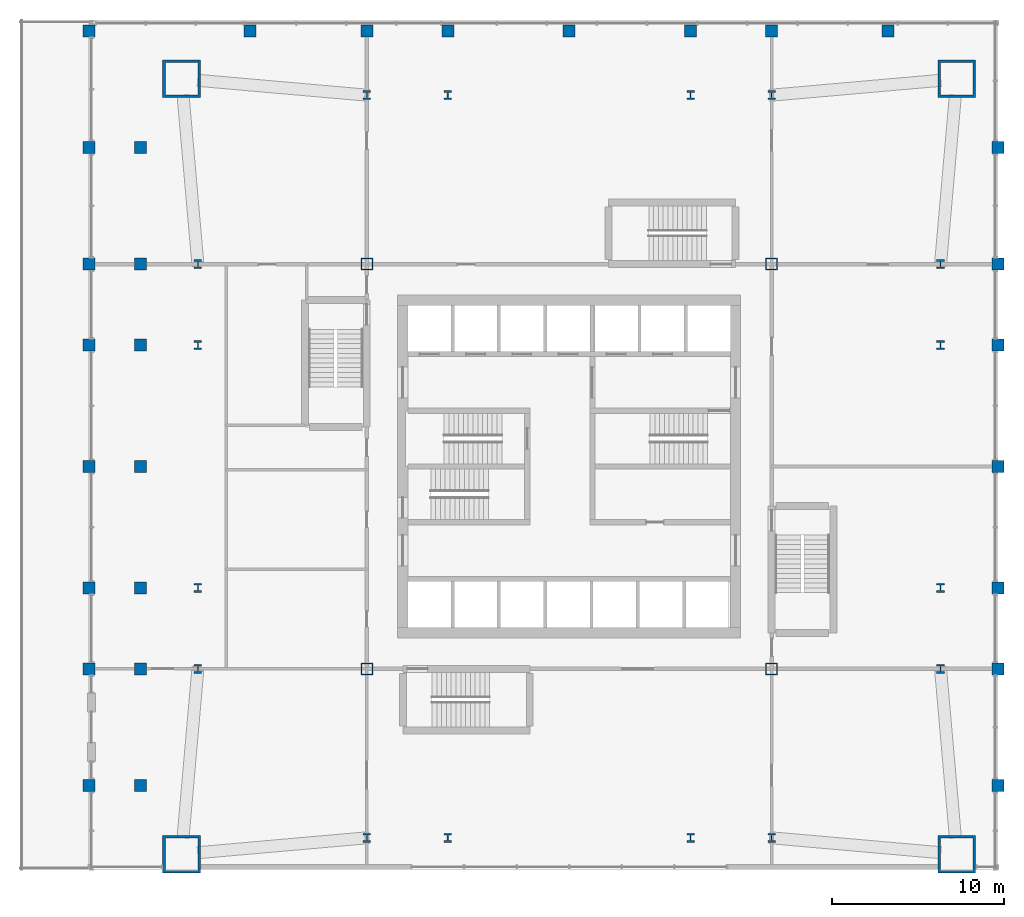
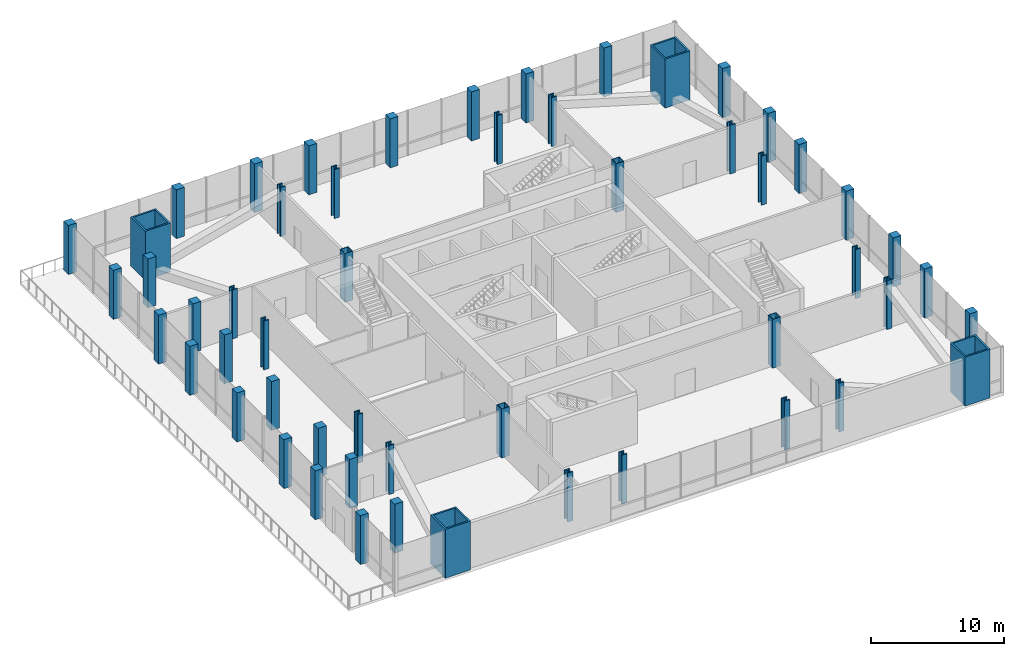
# One storey, part 1 of 15: 53 columns.
"""IFC4 building model written with IfcOpenShell, lengths in metres."""

from ifc_helpers import new_model, si_unit, direction, frame, origin, origin_2d, place, context, subcontext, project, spatial, rectangle, hollow_rectangle, i_section, extrude, material, material_profile, profile_set, type_object, element, save


model = new_model("IFC4")

# Units and contexts
model_context = context("Model", 3, precision=1e-05, world=origin(), true_north=direction((0.0, 1.0)))
body_context = subcontext(model_context, "Body", "Model", "MODEL_VIEW")
ifc_project = project(units=[si_unit("LENGTHUNIT", "METRE"), si_unit("AREAUNIT", "SQUARE_METRE"), si_unit("VOLUMEUNIT", "CUBIC_METRE"), si_unit("PLANEANGLEUNIT", "RADIAN"), si_unit("MASSUNIT", "GRAM", prefix="KILO")], contexts=[model_context])

# Site, building, storey
site_placement = place(None, origin())
site = spatial("IfcSite", under=ifc_project, at=site_placement, CompositionType="ELEMENT")
building_placement = place(site_placement, origin())
building = spatial("IfcBuilding", under=site, at=building_placement, Name="Turquesa Mirador Hotel Tower", CompositionType="ELEMENT")
storey_placement = place(building_placement, frame((0.0, 0.0, 16.0)))
storey = spatial("IfcBuildingStorey", under=building, at=storey_placement, Name="L03", CompositionType="ELEMENT", Elevation=16.0)

# Columns
ifc_material_1 = material(Name="Steel ASTM A572 Grade 50", Category="steel")
ifc_material_profile_1 = material_profile(ifc_material_1, hollow_rectangle(XDim=0.699951171875, YDim=0.699951171875, WallThickness=0.06005859375, at=origin_2d()), Name="BOX700X700X60")
ifc_profile_set_1 = profile_set([ifc_material_profile_1], Name="Steel ASTM A572 Grade 50")
column_type_1 = type_object("IfcColumnType", Name="COLUMN BOX700X700X60", PredefinedType="COLUMN", material=ifc_profile_set_1)
for number, where, z_axis, x_axis, name in (
    (1, (43.199951171875, 33.199951171875, 0.0), (0.0, 0.0, 1.0), (1.0, 0.0, 0.0), "COL-L03-K--11.80--11.80"),
    (2, (43.199951171875, 56.800048828125, 0.0), (0.0, 0.0, 1.0), (1.0, 0.0, 0.0), "COL-L03-K--11.80-+11.80"),
    (3, (66.800048828125, 33.199951171875, 0.0), (0.0, 0.0, 1.0), (1.0, 0.0, 0.0), "COL-L03-K-+11.80--11.80"),
    (4, (66.800048828125, 56.800048828125, 0.0), (0.0, 0.0, 1.0), (1.0, 0.0, 0.0), "COL-L03-K-+11.80-+11.80"),
):
    element("IfcColumn", number, at=place(storey_placement, frame(where, z_axis=z_axis, x_axis=x_axis)), inside=storey, type_object=column_type_1, Name=name, PredefinedType="COLUMN", context=body_context, shape_type="SweptSolid", body=[
        extrude(hollow_rectangle(XDim=0.699951171875, YDim=0.699951171875, WallThickness=0.06005859375, at=origin_2d()), origin(), (0.0, 0.0, 1.0), 4.5),
    ])
ifc_material_2 = material(Name="Steel ASTM A992 Grade 50", Category="steel")
ifc_material_profile_2 = material_profile(ifc_material_2, i_section(OverallWidth=0.44189453125, OverallDepth=0.53076171875, WebThickness=0.06591796875, FlangeThickness=0.105712890625, at=origin_2d()), Name="W14X605")
ifc_profile_set_2 = profile_set([ifc_material_profile_2], Name="Steel ASTM A992 Grade 50")
column_type_2 = type_object("IfcColumnType", Name="COLUMN W14X605", PredefinedType="COLUMN", material=ifc_profile_set_2)
for number, where, z_axis, x_axis, name in (
    (5, (33.35009765625, 33.199951171875, 0.0), (0.0, 0.0, 1.0), (1.0, 0.0, 0.0), "COL-L03-P--21.65--11.80"),
    (6, (33.35009765625, 37.919921875, 0.0), (0.0, 0.0, 1.0), (1.0, 0.0, 0.0), "COL-L03-P--21.65--7.08"),
    (7, (33.35009765625, 52.080078125, 0.0), (0.0, 0.0, 1.0), (1.0, 0.0, 0.0), "COL-L03-P--21.65-+7.08"),
    (8, (33.35009765625, 56.800048828125, 0.0), (0.0, 0.0, 1.0), (1.0, 0.0, 0.0), "COL-L03-P--21.65-+11.80"),
    (9, (43.199951171875, 23.35009765625, 0.0), (0.0, 0.0, 1.0), (1.0, 0.0, 0.0), "COL-L03-P--11.80--21.65"),
    (10, (43.199951171875, 66.64990234375, 0.0), (0.0, 0.0, 1.0), (1.0, 0.0, 0.0), "COL-L03-P--11.80-+21.65"),
    (11, (47.919921875, 23.35009765625, 0.0), (0.0, 0.0, 1.0), (1.0, 0.0, 0.0), "COL-L03-P--7.08--21.65"),
    (12, (47.919921875, 66.64990234375, 0.0), (0.0, 0.0, 1.0), (1.0, 0.0, 0.0), "COL-L03-P--7.08-+21.65"),
    (13, (62.080078125, 23.35009765625, 0.0), (0.0, 0.0, 1.0), (1.0, 0.0, 0.0), "COL-L03-P-+7.08--21.65"),
    (14, (62.080078125, 66.64990234375, 0.0), (0.0, 0.0, 1.0), (1.0, 0.0, 0.0), "COL-L03-P-+7.08-+21.65"),
    (15, (66.800048828125, 23.35009765625, 0.0), (0.0, 0.0, 1.0), (1.0, 0.0, 0.0), "COL-L03-P-+11.80--21.65"),
    (16, (66.800048828125, 66.64990234375, 0.0), (0.0, 0.0, 1.0), (1.0, 0.0, 0.0), "COL-L03-P-+11.80-+21.65"),
    (17, (76.64990234375, 33.199951171875, 0.0), (0.0, 0.0, 1.0), (1.0, 0.0, 0.0), "COL-L03-P-+21.65--11.80"),
    (18, (76.64990234375, 37.919921875, 0.0), (0.0, 0.0, 1.0), (1.0, 0.0, 0.0), "COL-L03-P-+21.65--7.08"),
    (19, (76.64990234375, 52.080078125, 0.0), (0.0, 0.0, 1.0), (1.0, 0.0, 0.0), "COL-L03-P-+21.65-+7.08"),
    (20, (76.64990234375, 56.800048828125, 0.0), (0.0, 0.0, 1.0), (1.0, 0.0, 0.0), "COL-L03-P-+21.65-+11.80"),
):
    element("IfcColumn", number, at=place(storey_placement, frame(where, z_axis=z_axis, x_axis=x_axis)), inside=storey, type_object=column_type_2, Name=name, PredefinedType="COLUMN", context=body_context, shape_type="SweptSolid", body=[
        extrude(i_section(OverallWidth=0.44189453125, OverallDepth=0.53076171875, WebThickness=0.06591796875, FlangeThickness=0.105712890625, at=origin_2d()), origin(), (0.0, 0.0, 1.0), 4.5),
    ])
ifc_material_3 = material(Name="Steel ASTM A514 Grade Q", Category="steel")
ifc_material_profile_3 = material_profile(ifc_material_3, hollow_rectangle(XDim=2.199951171875, YDim=2.199951171875, WallThickness=0.14990234375, at=origin_2d()), Name="BOX2200X2200X150")
ifc_profile_set_3 = profile_set([ifc_material_profile_3], Name="Steel ASTM A514 Grade Q")
column_type_3 = type_object("IfcColumnType", Name="MEGA COLUMN BOX2200X2200X150", PredefinedType="COLUMN", material=ifc_profile_set_3)
for number, where, z_axis, x_axis, name in (
    (21, (77.60009765625, 67.60009765625, 0.0), (0.0, 0.0, 1.0), (1.0, 0.0, 0.0), "Mega column M1"),
    (22, (32.39990234375, 67.60009765625, 0.0), (0.0, 0.0, 1.0), (1.0, 0.0, 0.0), "Mega column M2"),
    (23, (32.39990234375, 22.39990234375, 0.0), (0.0, 0.0, 1.0), (1.0, 0.0, 0.0), "Mega column M3"),
    (24, (77.60009765625, 22.39990234375, 0.0), (0.0, 0.0, 1.0), (1.0, 0.0, 0.0), "Mega column M4"),
):
    element("IfcColumn", number, at=place(storey_placement, frame(where, z_axis=z_axis, x_axis=x_axis)), inside=storey, type_object=column_type_3, Name=name, PredefinedType="COLUMN", context=body_context, shape_type="SweptSolid", body=[
        extrude(hollow_rectangle(XDim=2.199951171875, YDim=2.199951171875, WallThickness=0.14990234375, at=origin_2d()), origin(), (0.0, 0.0, 1.0), 4.5),
    ])
ifc_material_4 = material(Name="Concrete C50/60", Category="concrete")
ifc_material_profile_4 = material_profile(ifc_material_4, rectangle(XDim=0.699951171875, YDim=0.699951171875, at=origin_2d()), Name="RC 700X700")
ifc_profile_set_4 = profile_set([ifc_material_profile_4], Name="Concrete C50/60")
column_type_4 = type_object("IfcColumnType", Name="PODIUM COLUMN 700X700", PredefinedType="COLUMN", material=ifc_profile_set_4)
for number, where, z_axis, x_axis, name in (
    (25, (27.0, 26.39990234375, 0.0), (0.0, 0.0, 1.0), (1.0, 0.0, 0.0), "PCOL-L03--28.00--18.60"),
    (26, (27.0, 33.199951171875, 0.0), (0.0, 0.0, 1.0), (1.0, 0.0, 0.0), "PCOL-L03--28.00--11.80"),
    (27, (27.0, 37.919921875, 0.0), (0.0, 0.0, 1.0), (1.0, 0.0, 0.0), "PCOL-L03--28.00--7.08"),
    (28, (27.0, 45.0, 0.0), (0.0, 0.0, 1.0), (1.0, 0.0, 0.0), "PCOL-L03--28.00-+0.00"),
    (29, (27.0, 52.080078125, 0.0), (0.0, 0.0, 1.0), (1.0, 0.0, 0.0), "PCOL-L03--28.00-+7.08"),
    (30, (27.0, 56.800048828125, 0.0), (0.0, 0.0, 1.0), (1.0, 0.0, 0.0), "PCOL-L03--28.00-+11.80"),
    (31, (27.0, 63.60009765625, 0.0), (0.0, 0.0, 1.0), (1.0, 0.0, 0.0), "PCOL-L03--28.00-+18.60"),
    (32, (27.0, 70.39990234375, 0.0), (0.0, 0.0, 1.0), (1.0, 0.0, 0.0), "PCOL-L03--28.00-+25.40"),
    (33, (30.0, 26.39990234375, 0.0), (0.0, 0.0, 1.0), (1.0, 0.0, 0.0), "PCOL-L03--25.00--18.60"),
    (34, (30.0, 33.199951171875, 0.0), (0.0, 0.0, 1.0), (1.0, 0.0, 0.0), "PCOL-L03--25.00--11.80"),
    (35, (30.0, 37.919921875, 0.0), (0.0, 0.0, 1.0), (1.0, 0.0, 0.0), "PCOL-L03--25.00--7.08"),
    (36, (30.0, 45.0, 0.0), (0.0, 0.0, 1.0), (1.0, 0.0, 0.0), "PCOL-L03--25.00-+0.00"),
    (37, (30.0, 52.080078125, 0.0), (0.0, 0.0, 1.0), (1.0, 0.0, 0.0), "PCOL-L03--25.00-+7.08"),
    (38, (30.0, 56.800048828125, 0.0), (0.0, 0.0, 1.0), (1.0, 0.0, 0.0), "PCOL-L03--25.00-+11.80"),
    (39, (30.0, 63.60009765625, 0.0), (0.0, 0.0, 1.0), (1.0, 0.0, 0.0), "PCOL-L03--25.00-+18.60"),
    (40, (36.39990234375, 70.39990234375, 0.0), (0.0, 0.0, 1.0), (1.0, 0.0, 0.0), "PCOL-L03--18.60-+25.40"),
    (41, (43.199951171875, 70.39990234375, 0.0), (0.0, 0.0, 1.0), (1.0, 0.0, 0.0), "PCOL-L03--11.80-+25.40"),
    (42, (47.919921875, 70.39990234375, 0.0), (0.0, 0.0, 1.0), (1.0, 0.0, 0.0), "PCOL-L03--7.08-+25.40"),
    (43, (55.0, 70.39990234375, 0.0), (0.0, 0.0, 1.0), (1.0, 0.0, 0.0), "PCOL-L03-+0.00-+25.40"),
    (44, (62.080078125, 70.39990234375, 0.0), (0.0, 0.0, 1.0), (1.0, 0.0, 0.0), "PCOL-L03-+7.08-+25.40"),
    (45, (66.800048828125, 70.39990234375, 0.0), (0.0, 0.0, 1.0), (1.0, 0.0, 0.0), "PCOL-L03-+11.80-+25.40"),
    (46, (73.60009765625, 70.39990234375, 0.0), (0.0, 0.0, 1.0), (1.0, 0.0, 0.0), "PCOL-L03-+18.60-+25.40"),
    (47, (80.0, 26.39990234375, 0.0), (0.0, 0.0, 1.0), (1.0, 0.0, 0.0), "PCOL-L03-+25.00--18.60"),
    (48, (80.0, 33.199951171875, 0.0), (0.0, 0.0, 1.0), (1.0, 0.0, 0.0), "PCOL-L03-+25.00--11.80"),
    (49, (80.0, 37.919921875, 0.0), (0.0, 0.0, 1.0), (1.0, 0.0, 0.0), "PCOL-L03-+25.00--7.08"),
    (50, (80.0, 45.0, 0.0), (0.0, 0.0, 1.0), (1.0, 0.0, 0.0), "PCOL-L03-+25.00-+0.00"),
    (51, (80.0, 52.080078125, 0.0), (0.0, 0.0, 1.0), (1.0, 0.0, 0.0), "PCOL-L03-+25.00-+7.08"),
    (52, (80.0, 56.800048828125, 0.0), (0.0, 0.0, 1.0), (1.0, 0.0, 0.0), "PCOL-L03-+25.00-+11.80"),
    (53, (80.0, 63.60009765625, 0.0), (0.0, 0.0, 1.0), (1.0, 0.0, 0.0), "PCOL-L03-+25.00-+18.60"),
):
    element("IfcColumn", number, at=place(storey_placement, frame(where, z_axis=z_axis, x_axis=x_axis)), inside=storey, type_object=column_type_4, Name=name, PredefinedType="COLUMN", context=body_context, shape_type="SweptSolid", body=[
        extrude(rectangle(XDim=0.699951171875, YDim=0.699951171875, at=origin_2d()), origin(), (0.0, 0.0, 1.0), 4.5),
    ])

save(model, "model.ifc")
